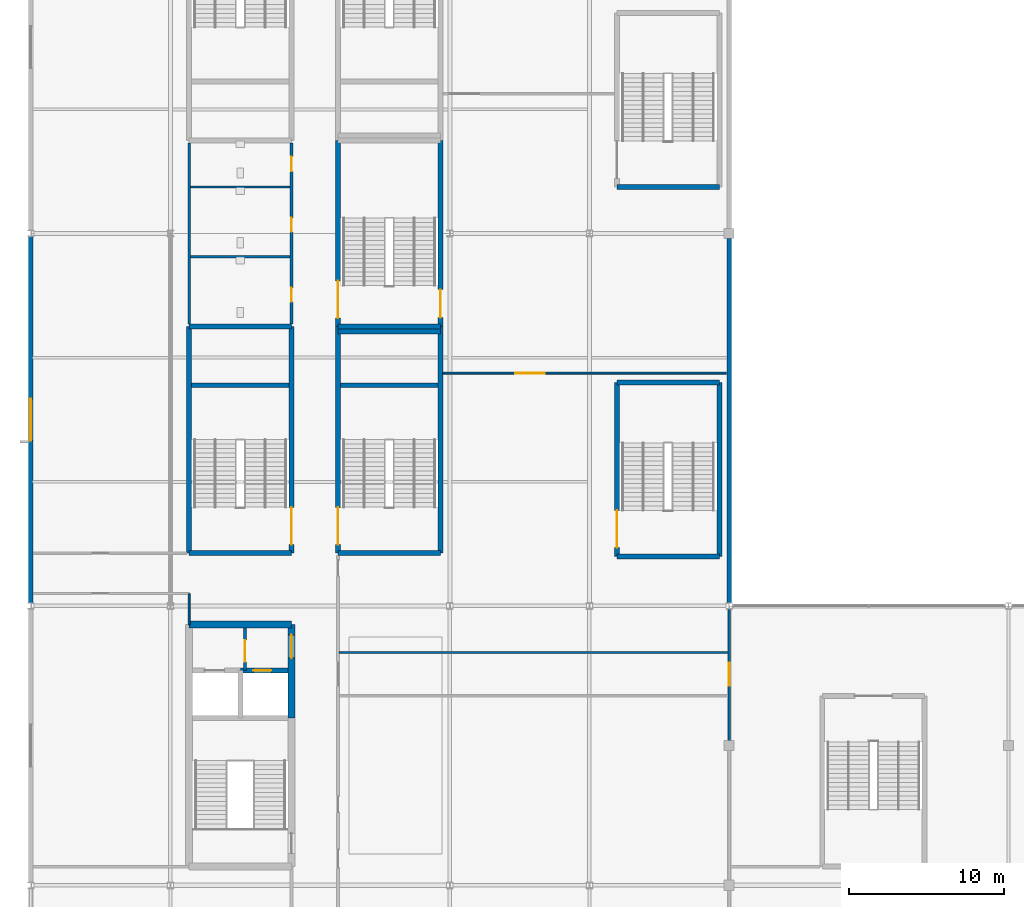
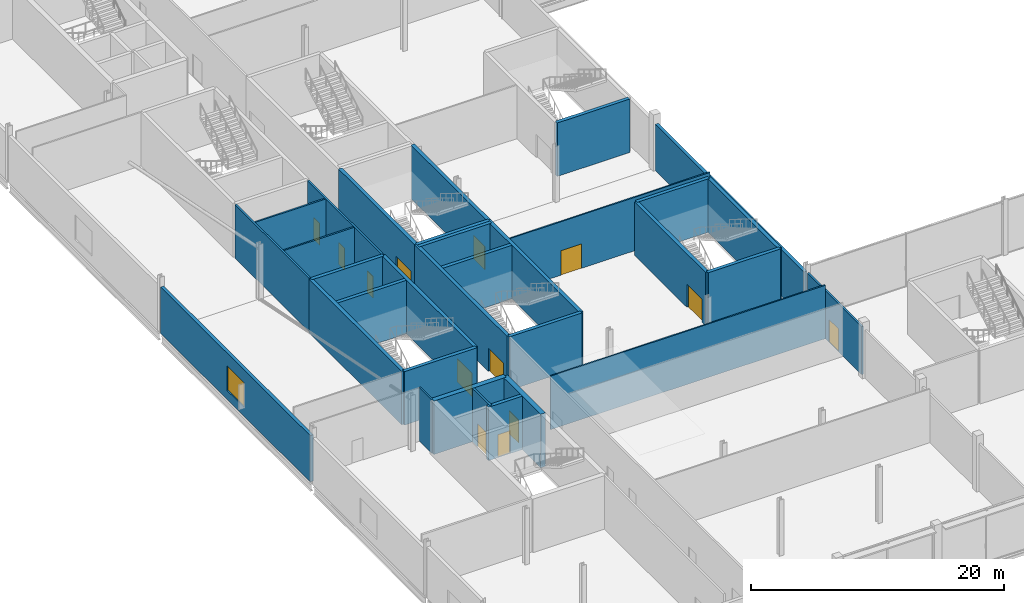
# One storey, part 59 of 111: 32 walls, 13 doors, 1 window, 14 openings.
"""IFC4 building model written with IfcOpenShell, lengths in metres."""

from ifc_helpers import new_model, si_unit, direction, frame, frame_2d, origin, place, context, subcontext, project, spatial, rectangle, extrude, material, layer, layer_set, type_object, element, fill, save


model = new_model("IFC4")

# Units and contexts
model_context = context("Model", 3, precision=1e-05, world=origin(), true_north=direction((0.0, 1.0)))
body_context = subcontext(model_context, "Body", "Model", "MODEL_VIEW")
ifc_project = project(units=[si_unit("LENGTHUNIT", "METRE"), si_unit("AREAUNIT", "SQUARE_METRE"), si_unit("VOLUMEUNIT", "CUBIC_METRE"), si_unit("PLANEANGLEUNIT", "RADIAN"), si_unit("MASSUNIT", "GRAM", prefix="KILO")], contexts=[model_context])

# Site, building, storey
site_placement = place(None, origin())
site = spatial("IfcSite", under=ifc_project, at=site_placement, CompositionType="ELEMENT")
building_placement = place(site_placement, origin())
building = spatial("IfcBuilding", under=site, at=building_placement, Name="Kisiwana Market Hall", CompositionType="ELEMENT")
storey_placement = place(building_placement, frame((0.0, 0.0, 11.39990234375)))
storey = spatial("IfcBuildingStorey", under=building, at=storey_placement, Name="L02", CompositionType="ELEMENT", Elevation=11.39990234375)

# Wall, opening, door
ifc_material_1 = material(Name="Masonry blockwork", Category="masonry")
ifc_layer_1 = layer(ifc_material_1, 0.199951171875, Name="Plastered fire compartment block wall")
ifc_layer_set_1 = layer_set([ifc_layer_1], Name="WL-COMP-200")
wall_type_1 = type_object("IfcWallType", Name="WL-COMP-200", PredefinedType="PARTITIONING", material=ifc_layer_set_1)
wall_1_placement = place(storey_placement, frame((13.800048828125, 31.844970703125, 0.0), z_axis=(0.0, 0.0, 1.0), x_axis=(0.0, 1.0, 0.0)))
wall_1 = element("IfcWall", 1, at=wall_1_placement, inside=storey, type_object=wall_type_1, Name="Core W2 firefighting lobby wall W-1100", PredefinedType="PARTITIONING", context=body_context, shape_type="SweptSolid", body=[
    extrude(rectangle(XDim=2.72998046875, YDim=0.199951171875, at=frame_2d((1.364990234375, 0.0))), origin(), (0.0, 0.0, 1.0), 5.150146484375),
])
opening_1_placement = place(wall_1_placement, frame((0.550048828125, 0.0, 0.0)))
opening_1 = element("IfcOpeningElement", 2, at=opening_1_placement, cuts=wall_1, Name="Opening DR-L02-003", PredefinedType="OPENING", context=body_context, shape_type="SweptSolid", body=[
    extrude(rectangle(XDim=1.39990234375, YDim=2.25, at=frame_2d((0.699951171875, 1.125))), frame((0.0, 0.11181640625, 0.0), z_axis=(0.0, -1.0, 0.0), x_axis=(1.0, 0.0, 0.0)), (0.0, 0.0, 1.0), 0.223876953125),
])
ifc_material_2 = material(Name="Steel S275", Category="steel")
door_type_1 = type_object("IfcDoorType", Name="DR-FFLOB-FD120-1400", OperationType="DOUBLE_DOOR_SINGLE_SWING", PredefinedType="DOOR", material=ifc_material_2)
door_1_placement = place(opening_1_placement, frame((1.39990234375, 0.0, 0.0), z_axis=(0.0, 0.0, 1.0), x_axis=(-1.0, 0.0, 0.0)))
door_1 = element("IfcDoor", 3, at=door_1_placement, inside=storey, type_object=door_type_1, Name="Firefighting Lift Lobby W2 Door (L02)", OperationType="DOUBLE_DOOR_SINGLE_SWING", OverallHeight=2.25, OverallWidth=1.39990234375, PredefinedType="DOOR", context=body_context, shape_type="SweptSolid", body=[
    extrude(rectangle(XDim=1.39990234375, YDim=2.25, at=frame_2d((0.699951171875, 1.125))), frame((0.0, 0.02490234375, 0.0), z_axis=(0.0, -1.0, 0.0), x_axis=(1.0, 0.0, 0.0)), (0.0, 0.0, 1.0), 0.050048828125),
])
fill(opening_1, door_1)

ifc_material_3 = material(Name="Concrete C40/50", Category="concrete")
ifc_layer_2 = layer(ifc_material_3, 0.320068359375, Name="Reinforced concrete shaft wall")
ifc_layer_set_2 = layer_set([ifc_layer_2], Name="WL-CORE-320")
wall_type_2 = type_object("IfcWallType", Name="WL-CORE-320", PredefinedType="SHEAR", material=ifc_layer_set_2)
wall_2_placement = place(storey_placement, frame((13.5, 31.844970703125, 0.0), z_axis=(0.0, 0.0, 1.0), x_axis=(1.0, 0.0, 0.0)))
wall_2 = element("IfcWall", 4, at=wall_2_placement, inside=storey, type_object=wall_type_2, Name="Core W2 east lift front wall W-0926", PredefinedType="SHEAR", context=body_context, shape_type="SweptSolid", body=[
    extrude(rectangle(XDim=3.074951171875, YDim=0.320068359375, at=frame_2d((1.53759765625, 0.0))), origin(), (0.0, 0.0, 1.0), 5.150146484375),
])
opening_2_placement = place(wall_2_placement, frame((0.85009765625, 0.0, 0.0)))
opening_2 = element("IfcOpeningElement", 5, at=opening_2_placement, cuts=wall_2, Name="Opening LD-L02-002", PredefinedType="OPENING", context=body_context, shape_type="SweptSolid", body=[
    extrude(rectangle(XDim=1.14990234375, YDim=2.199951171875, at=frame_2d((0.574951171875, 1.10009765625))), frame((0.0, 0.171875, 0.0), z_axis=(0.0, -1.0, 0.0), x_axis=(1.0, 0.0, 0.0)), (0.0, 0.0, 1.0), 0.343994140625),
])
ifc_material_4 = material(Name="Steel S275", Category="steel")
door_type_2 = type_object("IfcDoorType", Name="DR-LIFT-PAX-1150", OperationType="DOUBLE_DOOR_SLIDING", PredefinedType="DOOR", material=ifc_material_4)
door_2_placement = place(opening_2_placement, origin())
door_2 = element("IfcDoor", 6, at=door_2_placement, inside=storey, type_object=door_type_2, Name="Lift Landing Door LP-01 (L02)", OperationType="DOUBLE_DOOR_SLIDING", OverallHeight=2.199951171875, OverallWidth=1.14990234375, PredefinedType="DOOR", context=body_context, shape_type="SweptSolid", body=[
    extrude(rectangle(XDim=1.14990234375, YDim=2.199951171875, at=frame_2d((0.574951171875, 1.10009765625))), frame((0.0, 0.02490234375, 0.0), z_axis=(0.0, -1.0, 0.0), x_axis=(1.0, 0.0, 0.0)), (0.0, 0.0, 1.0), 0.050048828125),
])
fill(opening_2, door_2)

# Walls
for number, where, z_axis, x_axis, name in (
    (7, (10.199951171875, 39.39990234375, 0.0), (0.0, 0.0, 1.0), (1.0, 0.0, 0.0), "Core W3 south shear wall W-0976"),
    (8, (10.199951171875, 54.0, 0.0), (0.0, 0.0, 1.0), (1.0, 0.0, 0.0), "Core W3 north shear wall W-0977"),
):
    element("IfcWall", number, at=place(storey_placement, frame(where, z_axis=z_axis, x_axis=x_axis)), inside=storey, type_object=wall_type_2, Name=name, PredefinedType="SHEAR", context=body_context, shape_type="SweptSolid", body=[
        extrude(rectangle(XDim=6.60009765625, YDim=0.320068359375, at=frame_2d((3.300048828125, 0.0))), origin(), (0.0, 0.0, 1.0), 5.150146484375),
    ])
wall_3_placement = place(storey_placement, frame((10.199951171875, 39.39990234375, 0.0), z_axis=(0.0, 0.0, 1.0), x_axis=(0.0, 1.0, 0.0)))
element("IfcWall", 9, at=wall_3_placement, inside=storey, type_object=wall_type_2, Name="Core W3 outer shear wall W-0978", PredefinedType="SHEAR", context=body_context, shape_type="SweptSolid", body=[
    extrude(rectangle(XDim=14.60009765625, YDim=0.320068359375, at=frame_2d((7.300048828125, 0.0))), origin(), (0.0, 0.0, 1.0), 5.150146484375),
])

# Wall, opening, door
wall_4_placement = place(storey_placement, frame((16.800048828125, 39.39990234375, 0.0), z_axis=(0.0, 0.0, 1.0), x_axis=(0.0, 1.0, 0.0)))
wall_4 = element("IfcWall", 10, at=wall_4_placement, inside=storey, type_object=wall_type_2, Name="Core W3 corridor shear wall W-0979", PredefinedType="SHEAR", context=body_context, shape_type="SweptSolid", body=[
    extrude(rectangle(XDim=14.60009765625, YDim=0.320068359375, at=frame_2d((7.300048828125, 0.0))), origin(), (0.0, 0.0, 1.0), 5.150146484375),
])
opening_3_placement = place(wall_4_placement, frame((0.550048828125, 0.0, 0.0)))
opening_3 = element("IfcOpeningElement", 11, at=opening_3_placement, cuts=wall_4, Name="Opening DR-L02-019", PredefinedType="OPENING", context=body_context, shape_type="SweptSolid", body=[
    extrude(rectangle(XDim=2.39990234375, YDim=2.25, at=frame_2d((1.199951171875, 1.125))), frame((0.0, 0.171875, 0.0), z_axis=(0.0, -1.0, 0.0), x_axis=(1.0, 0.0, 0.0)), (0.0, 0.0, 1.0), 0.343994140625),
])
ifc_material_5 = material(Name="Steel S275", Category="steel")
door_type_3 = type_object("IfcDoorType", Name="DR-STAIR-FD120-2400", OperationType="DOUBLE_DOOR_SINGLE_SWING", PredefinedType="DOOR", material=ifc_material_5)
door_3_placement = place(opening_3_placement, origin())
door_3 = element("IfcDoor", 12, at=door_3_placement, inside=storey, type_object=door_type_3, Name="Escape Stair W3 Fire Door (L02)", OperationType="DOUBLE_DOOR_SINGLE_SWING", OverallHeight=2.25, OverallWidth=2.39990234375, PredefinedType="DOOR", context=body_context, shape_type="SweptSolid", body=[
    extrude(rectangle(XDim=2.39990234375, YDim=2.25, at=frame_2d((1.199951171875, 1.125))), frame((0.0, 0.02490234375, 0.0), z_axis=(0.0, -1.0, 0.0), x_axis=(1.0, 0.0, 0.0)), (0.0, 0.0, 1.0), 0.050048828125),
])
fill(opening_3, door_3)

# Walls
wall_5_placement = place(storey_placement, frame((10.360107421875, 50.219970703125, 0.0), z_axis=(0.0, 0.0, 1.0), x_axis=(1.0, 0.0, 0.0)))
element("IfcWall", 13, at=wall_5_placement, inside=storey, type_object=wall_type_2, Name="Core W3 riser divider shear wall W-0980", PredefinedType="SHEAR", context=body_context, shape_type="SweptSolid", body=[
    extrude(rectangle(XDim=6.27978515625, YDim=0.320068359375, at=frame_2d((3.139892578125, 0.0))), origin(), (0.0, 0.0, 1.0), 5.150146484375),
])
for number, where, z_axis, x_axis, name in (
    (14, (19.800048828125, 39.39990234375, 0.0), (0.0, 0.0, 1.0), (1.0, 0.0, 0.0), "Core W7 south shear wall W-0996"),
    (15, (19.800048828125, 54.0, 0.0), (0.0, 0.0, 1.0), (1.0, 0.0, 0.0), "Core W7 north shear wall W-0997"),
):
    element("IfcWall", number, at=place(storey_placement, frame(where, z_axis=z_axis, x_axis=x_axis)), inside=storey, type_object=wall_type_2, Name=name, PredefinedType="SHEAR", context=body_context, shape_type="SweptSolid", body=[
        extrude(rectangle(XDim=6.599853515625, YDim=0.320068359375, at=frame_2d((3.2998046875, 0.0))), origin(), (0.0, 0.0, 1.0), 5.150146484375),
    ])

# Wall, opening, door
wall_6_placement = place(storey_placement, frame((19.800048828125, 39.39990234375, 0.0), z_axis=(0.0, 0.0, 1.0), x_axis=(0.0, 1.0, 0.0)))
wall_6 = element("IfcWall", 16, at=wall_6_placement, inside=storey, type_object=wall_type_2, Name="Core W7 corridor shear wall W-0998", PredefinedType="SHEAR", context=body_context, shape_type="SweptSolid", body=[
    extrude(rectangle(XDim=14.60009765625, YDim=0.320068359375, at=frame_2d((7.300048828125, 0.0))), origin(), (0.0, 0.0, 1.0), 5.150146484375),
])
opening_4_placement = place(wall_6_placement, frame((0.550048828125, 0.0, 0.0)))
opening_4 = element("IfcOpeningElement", 17, at=opening_4_placement, cuts=wall_6, Name="Opening DR-L02-023", PredefinedType="OPENING", context=body_context, shape_type="SweptSolid", body=[
    extrude(rectangle(XDim=2.39990234375, YDim=2.25, at=frame_2d((1.199951171875, 1.125))), frame((0.0, 0.171875, 0.0), z_axis=(0.0, -1.0, 0.0), x_axis=(1.0, 0.0, 0.0)), (0.0, 0.0, 1.0), 0.343994140625),
])
door_4_placement = place(opening_4_placement, frame((2.39990234375, 0.0, 0.0), z_axis=(0.0, 0.0, 1.0), x_axis=(-1.0, 0.0, 0.0)))
door_4 = element("IfcDoor", 18, at=door_4_placement, inside=storey, type_object=door_type_3, Name="Escape Stair W7 Fire Door (L02)", OperationType="DOUBLE_DOOR_SINGLE_SWING", OverallHeight=2.25, OverallWidth=2.39990234375, PredefinedType="DOOR", context=body_context, shape_type="SweptSolid", body=[
    extrude(rectangle(XDim=2.39990234375, YDim=2.25, at=frame_2d((1.199951171875, 1.125))), frame((0.0, 0.02490234375, 0.0), z_axis=(0.0, -1.0, 0.0), x_axis=(1.0, 0.0, 0.0)), (0.0, 0.0, 1.0), 0.050048828125),
])
fill(opening_4, door_4)

# Walls
wall_7_placement = place(storey_placement, frame((26.39990234375, 39.39990234375, 0.0), z_axis=(0.0, 0.0, 1.0), x_axis=(0.0, 1.0, 0.0)))
element("IfcWall", 19, at=wall_7_placement, inside=storey, type_object=wall_type_2, Name="Core W7 outer shear wall W-0999", PredefinedType="SHEAR", context=body_context, shape_type="SweptSolid", body=[
    extrude(rectangle(XDim=14.60009765625, YDim=0.320068359375, at=frame_2d((7.300048828125, 0.0))), origin(), (0.0, 0.0, 1.0), 5.150146484375),
])
wall_8_placement = place(storey_placement, frame((19.9599609375, 50.219970703125, 0.0), z_axis=(0.0, 0.0, 1.0), x_axis=(1.0, 0.0, 0.0)))
element("IfcWall", 20, at=wall_8_placement, inside=storey, type_object=wall_type_2, Name="Core W7 riser divider shear wall W-1000", PredefinedType="SHEAR", context=body_context, shape_type="SweptSolid", body=[
    extrude(rectangle(XDim=6.280029296875, YDim=0.320068359375, at=frame_2d((3.14013671875, 0.0))), origin(), (0.0, 0.0, 1.0), 5.150146484375),
])
for number, where, z_axis, x_axis, name in (
    (21, (37.77001953125, 39.199951171875, 0.0), (0.0, 0.0, 1.0), (1.0, 0.0, 0.0), "Core W9 south shear wall W-1016"),
    (22, (37.77001953125, 50.39990234375, 0.0), (0.0, 0.0, 1.0), (1.0, 0.0, 0.0), "Core W9 north shear wall W-1017"),
):
    element("IfcWall", number, at=place(storey_placement, frame(where, z_axis=z_axis, x_axis=x_axis)), inside=storey, type_object=wall_type_2, Name=name, PredefinedType="SHEAR", context=body_context, shape_type="SweptSolid", body=[
        extrude(rectangle(XDim=6.60009765625, YDim=0.320068359375, at=frame_2d((3.300048828125, 0.0))), origin(), (0.0, 0.0, 1.0), 5.150146484375),
    ])

# Wall, opening, door
wall_9_placement = place(storey_placement, frame((37.77001953125, 39.199951171875, 0.0), z_axis=(0.0, 0.0, 1.0), x_axis=(0.0, 1.0, 0.0)))
wall_9 = element("IfcWall", 23, at=wall_9_placement, inside=storey, type_object=wall_type_2, Name="Core W9 corridor shear wall W-1018", PredefinedType="SHEAR", context=body_context, shape_type="SweptSolid", body=[
    extrude(rectangle(XDim=11.199951171875, YDim=0.320068359375, at=frame_2d((5.60009765625, 0.0))), origin(), (0.0, 0.0, 1.0), 5.150146484375),
])
opening_5_placement = place(wall_9_placement, frame((0.550048828125, 0.0, 0.0)))
opening_5 = element("IfcOpeningElement", 24, at=opening_5_placement, cuts=wall_9, Name="Opening DR-L02-027", PredefinedType="OPENING", context=body_context, shape_type="SweptSolid", body=[
    extrude(rectangle(XDim=2.39990234375, YDim=2.25, at=frame_2d((1.199951171875, 1.125))), frame((0.0, 0.171875, 0.0), z_axis=(0.0, -1.0, 0.0), x_axis=(1.0, 0.0, 0.0)), (0.0, 0.0, 1.0), 0.343994140625),
])
door_5_placement = place(opening_5_placement, frame((2.39990234375, 0.0, 0.0), z_axis=(0.0, 0.0, 1.0), x_axis=(-1.0, 0.0, 0.0)))
door_5 = element("IfcDoor", 25, at=door_5_placement, inside=storey, type_object=door_type_3, Name="Escape Stair W9 Fire Door (L02)", OperationType="DOUBLE_DOOR_SINGLE_SWING", OverallHeight=2.25, OverallWidth=2.39990234375, PredefinedType="DOOR", context=body_context, shape_type="SweptSolid", body=[
    extrude(rectangle(XDim=2.39990234375, YDim=2.25, at=frame_2d((1.199951171875, 1.125))), frame((0.0, 0.02490234375, 0.0), z_axis=(0.0, -1.0, 0.0), x_axis=(1.0, 0.0, 0.0)), (0.0, 0.0, 1.0), 0.050048828125),
])
fill(opening_5, door_5)

# Walls
wall_10_placement = place(storey_placement, frame((44.3701171875, 39.199951171875, 0.0), z_axis=(0.0, 0.0, 1.0), x_axis=(0.0, 1.0, 0.0)))
element("IfcWall", 26, at=wall_10_placement, inside=storey, type_object=wall_type_2, Name="Core W9 outer shear wall W-1019", PredefinedType="SHEAR", context=body_context, shape_type="SweptSolid", body=[
    extrude(rectangle(XDim=11.199951171875, YDim=0.320068359375, at=frame_2d((5.60009765625, 0.0))), origin(), (0.0, 0.0, 1.0), 5.150146484375),
])
wall_11_placement = place(storey_placement, frame((37.77001953125, 63.0, 0.0), z_axis=(0.0, 0.0, 1.0), x_axis=(1.0, 0.0, 0.0)))
element("IfcWall", 27, at=wall_11_placement, inside=storey, type_object=wall_type_2, Name="Core W10 south shear wall W-1024", PredefinedType="SHEAR", context=body_context, shape_type="SweptSolid", body=[
    extrude(rectangle(XDim=6.60009765625, YDim=0.320068359375, at=frame_2d((3.300048828125, 0.0))), origin(), (0.0, 0.0, 1.0), 5.150146484375),
])
wall_12_placement = place(storey_placement, frame((19.800048828125, 53.679931640625, 0.0), z_axis=(0.0, 0.0, 1.0), x_axis=(1.0, 0.0, 0.0)))
element("IfcWall", 28, at=wall_12_placement, inside=storey, type_object=wall_type_2, Name="Core W5 south shear wall W-1032", PredefinedType="SHEAR", context=body_context, shape_type="SweptSolid", body=[
    extrude(rectangle(XDim=6.599853515625, YDim=0.320068359375, at=frame_2d((3.2998046875, 0.0))), origin(), (0.0, 0.0, 1.0), 5.150146484375),
])

# Wall, opening, door
wall_13_placement = place(storey_placement, frame((19.800048828125, 54.0, 0.0), z_axis=(0.0, 0.0, 1.0), x_axis=(0.0, 1.0, 0.0)))
wall_13 = element("IfcWall", 29, at=wall_13_placement, inside=storey, type_object=wall_type_2, Name="Core W5 corridor shear wall W-1034", PredefinedType="SHEAR", context=body_context, shape_type="SweptSolid", body=[
    extrude(rectangle(XDim=12.0, YDim=0.320068359375, at=frame_2d((6.0, 0.0))), origin(), (0.0, 0.0, 1.0), 5.150146484375),
])
opening_6_placement = place(wall_13_placement, frame((0.550048828125, 0.0, 0.0)))
opening_6 = element("IfcOpeningElement", 30, at=opening_6_placement, cuts=wall_13, Name="Opening DR-L02-031", PredefinedType="OPENING", context=body_context, shape_type="SweptSolid", body=[
    extrude(rectangle(XDim=2.39990234375, YDim=2.25, at=frame_2d((1.199951171875, 1.125))), frame((0.0, 0.171875, 0.0), z_axis=(0.0, -1.0, 0.0), x_axis=(1.0, 0.0, 0.0)), (0.0, 0.0, 1.0), 0.343994140625),
])
door_6_placement = place(opening_6_placement, frame((2.39990234375, 0.0, 0.0), z_axis=(0.0, 0.0, 1.0), x_axis=(-1.0, 0.0, 0.0)))
door_6 = element("IfcDoor", 31, at=door_6_placement, inside=storey, type_object=door_type_3, Name="Escape Stair W5 Fire Door (L02)", OperationType="DOUBLE_DOOR_SINGLE_SWING", OverallHeight=2.25, OverallWidth=2.39990234375, PredefinedType="DOOR", context=body_context, shape_type="SweptSolid", body=[
    extrude(rectangle(XDim=2.39990234375, YDim=2.25, at=frame_2d((1.199951171875, 1.125))), frame((0.0, 0.02490234375, 0.0), z_axis=(0.0, -1.0, 0.0), x_axis=(1.0, 0.0, 0.0)), (0.0, 0.0, 1.0), 0.050048828125),
])
fill(opening_6, door_6)

wall_14_placement = place(storey_placement, frame((26.39990234375, 54.0, 0.0), z_axis=(0.0, 0.0, 1.0), x_axis=(0.0, 1.0, 0.0)))
wall_14 = element("IfcWall", 32, at=wall_14_placement, inside=storey, type_object=wall_type_2, Name="Core W5 outer shear wall W-1035", PredefinedType="SHEAR", context=body_context, shape_type="SweptSolid", body=[
    extrude(rectangle(XDim=12.0, YDim=0.320068359375, at=frame_2d((6.0, 0.0))), origin(), (0.0, 0.0, 1.0), 5.150146484375),
])
opening_7_placement = place(wall_14_placement, frame((0.580078125, 0.0, 0.0)))
opening_7 = element("IfcOpeningElement", 33, at=opening_7_placement, cuts=wall_14, Name="Opening DR-L02-032", PredefinedType="OPENING", context=body_context, shape_type="SweptSolid", body=[
    extrude(rectangle(XDim=1.800048828125, YDim=2.25, at=frame_2d((0.89990234375, 1.125))), frame((0.0, 0.171875, 0.0), z_axis=(0.0, -1.0, 0.0), x_axis=(1.0, 0.0, 0.0)), (0.0, 0.0, 1.0), 0.343994140625),
])
ifc_material_6 = material(Name="Steel S275", Category="steel")
door_type_4 = type_object("IfcDoorType", Name="DR-STAIR-FD120-1800", OperationType="DOUBLE_DOOR_SINGLE_SWING", PredefinedType="DOOR", material=ifc_material_6)
door_7_placement = place(opening_7_placement, origin())
door_7 = element("IfcDoor", 34, at=door_7_placement, inside=storey, type_object=door_type_4, Name="Escape Stair W5 Room Door (L02)", OperationType="DOUBLE_DOOR_SINGLE_SWING", OverallHeight=2.25, OverallWidth=1.800048828125, PredefinedType="DOOR", context=body_context, shape_type="SweptSolid", body=[
    extrude(rectangle(XDim=1.800048828125, YDim=2.25, at=frame_2d((0.89990234375, 1.125))), frame((0.0, 0.02490234375, 0.0), z_axis=(0.0, -1.0, 0.0), x_axis=(1.0, 0.0, 0.0)), (0.0, 0.0, 1.0), 0.050048828125),
])
fill(opening_7, door_7)

# Wall
ifc_material_7 = material(Name="Concrete C40/50", Category="concrete")
ifc_layer_3 = layer(ifc_material_7, 0.449951171875, Name="Reinforced concrete core wall")
ifc_layer_set_3 = layer_set([ifc_layer_3], Name="WL-CORE-450")
wall_type_3 = type_object("IfcWallType", Name="WL-CORE-450", PredefinedType="SHEAR", material=ifc_layer_set_3)
wall_15_placement = place(storey_placement, frame((10.199951171875, 34.800048828125, 0.0), z_axis=(0.0, 0.0, 1.0), x_axis=(1.0, 0.0, 0.0)))
element("IfcWall", 35, at=wall_15_placement, inside=storey, type_object=wall_type_3, Name="Core W2 north shear wall W-0919", PredefinedType="SHEAR", context=body_context, shape_type="SweptSolid", body=[
    extrude(rectangle(XDim=6.60009765625, YDim=0.449951171875, at=frame_2d((3.300048828125, 0.0))), origin(), (0.0, 0.0, 1.0), 5.150146484375),
])

# Wall, opening, door
wall_16_placement = place(storey_placement, frame((16.800048828125, 28.784912109375, 0.0), z_axis=(0.0, 0.0, 1.0), x_axis=(0.0, 1.0, 0.0)))
wall_16 = element("IfcWall", 36, at=wall_16_placement, inside=storey, type_object=wall_type_3, Name="Core W2 lobby corridor shear wall W-0922", PredefinedType="SHEAR", context=body_context, shape_type="SweptSolid", body=[
    extrude(rectangle(XDim=6.01513671875, YDim=0.449951171875, at=frame_2d((3.007568359375, 0.0))), origin(), (0.0, 0.0, 1.0), 5.150146484375),
])
opening_8_placement = place(wall_16_placement, frame((3.85009765625, 0.0, 0.0)))
opening_8 = element("IfcOpeningElement", 37, at=opening_8_placement, cuts=wall_16, Name="Opening DR-L02-002", PredefinedType="OPENING", context=body_context, shape_type="SweptSolid", body=[
    extrude(rectangle(XDim=1.5, YDim=2.199951171875, at=frame_2d((0.75, 1.10009765625))), frame((0.0, 0.23681640625, 0.0), z_axis=(0.0, -1.0, 0.0), x_axis=(1.0, 0.0, 0.0)), (0.0, 0.0, 1.0), 0.473876953125),
])
ifc_material_8 = material(Name="Steel S275", Category="steel")
door_type_5 = type_object("IfcDoorType", Name="DR-CORR-FD60-1500", OperationType="DOUBLE_DOOR_SINGLE_SWING", PredefinedType="DOOR", material=ifc_material_8)
door_8_placement = place(opening_8_placement, frame((1.5, 0.0, 0.0), z_axis=(0.0, 0.0, 1.0), x_axis=(-1.0, 0.0, 0.0)))
door_8 = element("IfcDoor", 38, at=door_8_placement, inside=storey, type_object=door_type_5, Name="Passenger Lift Lobby W2 Smoke Door (L02)", OperationType="DOUBLE_DOOR_SINGLE_SWING", OverallHeight=2.199951171875, OverallWidth=1.5, PredefinedType="DOOR", context=body_context, shape_type="SweptSolid", body=[
    extrude(rectangle(XDim=1.5, YDim=2.199951171875, at=frame_2d((0.75, 1.10009765625))), frame((0.0, 0.02490234375, 0.0), z_axis=(0.0, -1.0, 0.0), x_axis=(1.0, 0.0, 0.0)), (0.0, 0.0, 1.0), 0.050048828125),
])
fill(opening_8, door_8)

# Wall
ifc_material_9 = material(Name="Masonry blockwork", Category="masonry")
ifc_layer_4 = layer(ifc_material_9, 0.169921875, Name="Protected corridor partition")
ifc_layer_set_4 = layer_set([ifc_layer_4], Name="WL-CORR-170")
wall_type_4 = type_object("IfcWallType", Name="WL-CORR-170", PredefinedType="PARTITIONING", material=ifc_layer_set_4)
wall_17_placement = place(storey_placement, frame((10.199951171875, 54.159912109375, 0.0), z_axis=(0.0, 0.0, 1.0), x_axis=(0.0, 1.0, 0.0)))
element("IfcWall", 39, at=wall_17_placement, inside=storey, type_object=wall_type_4, Name="Interior partition W-1104", PredefinedType="PARTITIONING", context=body_context, shape_type="SweptSolid", body=[
    extrude(rectangle(XDim=11.68017578125, YDim=0.169921875, at=frame_2d((5.840087890625, 0.0))), origin(), (0.0, 0.0, 1.0), 5.150146484375),
])

# Wall, openings, doors
wall_18_placement = place(storey_placement, frame((16.800048828125, 54.159912109375, 0.0), z_axis=(0.0, 0.0, 1.0), x_axis=(0.0, 1.0, 0.0)))
wall_18 = element("IfcWall", 40, at=wall_18_placement, inside=storey, type_object=wall_type_4, Name="Interior partition W-1105", PredefinedType="PARTITIONING", context=body_context, shape_type="SweptSolid", body=[
    extrude(rectangle(XDim=11.68017578125, YDim=0.169921875, at=frame_2d((5.840087890625, 0.0))), origin(), (0.0, 0.0, 1.0), 5.150146484375),
])
opening_9_placement = place(wall_18_placement, frame((1.43994140625, 0.0, 0.0)))
opening_9 = element("IfcOpeningElement", 41, at=opening_9_placement, cuts=wall_18, Name="Opening DR-L02-043", PredefinedType="OPENING", context=body_context, shape_type="SweptSolid", body=[
    extrude(rectangle(XDim=0.89990234375, YDim=2.10009765625, at=frame_2d((0.449951171875, 1.050048828125))), frame((0.0, 0.096923828125, 0.0), z_axis=(0.0, -1.0, 0.0), x_axis=(1.0, 0.0, 0.0)), (0.0, 0.0, 1.0), 0.19384765625),
])
opening_10_placement = place(wall_18_placement, frame((5.93994140625, 0.0, 0.0)))
opening_10 = element("IfcOpeningElement", 42, at=opening_10_placement, cuts=wall_18, Name="Opening DR-L02-044", PredefinedType="OPENING", context=body_context, shape_type="SweptSolid", body=[
    extrude(rectangle(XDim=0.89990234375, YDim=2.10009765625, at=frame_2d((0.449951171875, 1.050048828125))), frame((0.0, 0.096923828125, 0.0), z_axis=(0.0, -1.0, 0.0), x_axis=(1.0, 0.0, 0.0)), (0.0, 0.0, 1.0), 0.19384765625),
])
opening_11_placement = place(wall_18_placement, frame((9.840087890625, 0.0, 0.0)))
opening_11 = element("IfcOpeningElement", 43, at=opening_11_placement, cuts=wall_18, Name="Opening DR-L02-045", PredefinedType="OPENING", context=body_context, shape_type="SweptSolid", body=[
    extrude(rectangle(XDim=0.949951171875, YDim=2.10009765625, at=frame_2d((0.47509765625, 1.050048828125))), frame((0.0, 0.096923828125, 0.0), z_axis=(0.0, -1.0, 0.0), x_axis=(1.0, 0.0, 0.0)), (0.0, 0.0, 1.0), 0.19384765625),
])
ifc_material_10 = material(Name="Aluminium alloy 6063-T6", Category="aluminium")
door_type_6 = type_object("IfcDoorType", Name="DR-WC-ACC-950", OperationType="NOTDEFINED", PredefinedType="DOOR", material=ifc_material_10)
door_9_placement = place(opening_11_placement, origin())
door_9 = element("IfcDoor", 44, at=door_9_placement, inside=storey, type_object=door_type_6, Name="L02 W Accessible WC Door", OperationType="SINGLE_SWING_RIGHT", OverallHeight=2.10009765625, OverallWidth=0.949951171875, PredefinedType="DOOR", context=body_context, shape_type="SweptSolid", body=[
    extrude(rectangle(XDim=0.949951171875, YDim=2.10009765625, at=frame_2d((0.47509765625, 1.050048828125))), frame((0.0, 0.02490234375, 0.0), z_axis=(0.0, -1.0, 0.0), x_axis=(1.0, 0.0, 0.0)), (0.0, 0.0, 1.0), 0.050048828125),
])
fill(opening_11, door_9)
ifc_material_11 = material(Name="Aluminium alloy 6063-T6", Category="aluminium")
door_type_7 = type_object("IfcDoorType", Name="DR-WC-STD-900", OperationType="NOTDEFINED", PredefinedType="DOOR", material=ifc_material_11)
door_10_placement = place(opening_9_placement, origin())
door_10 = element("IfcDoor", 45, at=door_10_placement, inside=storey, type_object=door_type_7, Name="L02 W Male Toilet Door", OperationType="SINGLE_SWING_LEFT", OverallHeight=2.10009765625, OverallWidth=0.89990234375, PredefinedType="DOOR", context=body_context, shape_type="SweptSolid", body=[
    extrude(rectangle(XDim=0.89990234375, YDim=2.10009765625, at=frame_2d((0.449951171875, 1.050048828125))), frame((0.0, 0.02490234375, 0.0), z_axis=(0.0, -1.0, 0.0), x_axis=(1.0, 0.0, 0.0)), (0.0, 0.0, 1.0), 0.050048828125),
])
fill(opening_9, door_10)
door_11_placement = place(opening_10_placement, origin())
door_11 = element("IfcDoor", 46, at=door_11_placement, inside=storey, type_object=door_type_7, Name="L02 W Female Toilet Door", OperationType="SINGLE_SWING_RIGHT", OverallHeight=2.10009765625, OverallWidth=0.89990234375, PredefinedType="DOOR", context=body_context, shape_type="SweptSolid", body=[
    extrude(rectangle(XDim=0.89990234375, YDim=2.10009765625, at=frame_2d((0.449951171875, 1.050048828125))), frame((0.0, 0.02490234375, 0.0), z_axis=(0.0, -1.0, 0.0), x_axis=(1.0, 0.0, 0.0)), (0.0, 0.0, 1.0), 0.050048828125),
])
fill(opening_10, door_11)

# Wall, opening, door
wall_19_placement = place(storey_placement, frame((45.0, 27.219970703125, 0.0), z_axis=(0.0, 0.0, 1.0), x_axis=(0.0, 1.0, 0.0)))
wall_19 = element("IfcWall", 47, at=wall_19_placement, inside=storey, type_object=wall_type_4, Name="Interior partition W-1130", PredefinedType="PARTITIONING", context=body_context, shape_type="SweptSolid", body=[
    extrude(rectangle(XDim=8.56005859375, YDim=0.169921875, at=frame_2d((4.280029296875, 0.0))), origin(), (0.0, 0.0, 1.0), 4.616943359375),
])
opening_12_placement = place(wall_19_placement, frame((3.6298828125, 0.0, 0.0)))
opening_12 = element("IfcOpeningElement", 48, at=opening_12_placement, cuts=wall_19, Name="Opening DR-L02-063", PredefinedType="OPENING", context=body_context, shape_type="SweptSolid", body=[
    extrude(rectangle(XDim=1.5, YDim=2.199951171875, at=frame_2d((0.75, 1.10009765625))), frame((0.0, 0.096923828125, 0.0), z_axis=(0.0, -1.0, 0.0), x_axis=(1.0, 0.0, 0.0)), (0.0, 0.0, 1.0), 0.19384765625),
])
door_12_placement = place(opening_12_placement, origin())
door_12 = element("IfcDoor", 49, at=door_12_placement, inside=storey, type_object=door_type_5, Name="L02 W South Spine Link Door", OperationType="DOUBLE_DOOR_SINGLE_SWING", OverallHeight=2.199951171875, OverallWidth=1.5, PredefinedType="DOOR", context=body_context, shape_type="SweptSolid", body=[
    extrude(rectangle(XDim=1.5, YDim=2.199951171875, at=frame_2d((0.75, 1.10009765625))), frame((0.0, 0.02490234375, 0.0), z_axis=(0.0, -1.0, 0.0), x_axis=(1.0, 0.0, 0.0)), (0.0, 0.0, 1.0), 0.050048828125),
])
fill(opening_12, door_12)

# Wall, opening, window
ifc_material_12 = material(Name="Masonry blockwork", Category="masonry")
ifc_layer_5 = layer(ifc_material_12, 0.139892578125, Name="Rendered masonry outer leaf")
ifc_material_13 = material(Name="Mineral wool insulation")
ifc_layer_6 = layer(ifc_material_13, 0.074951171875, Name="Mineral wool cavity insulation")
ifc_material_14 = material(Name="Gypsum plasterboard")
ifc_layer_7 = layer(ifc_material_14, 0.074951171875, Name="Calcium silicate inner lining")
ifc_layer_set_5 = layer_set([ifc_layer_5, ifc_layer_6, ifc_layer_7], Name="WL-EXT-MAS-290")
wall_type_5 = type_object("IfcWallType", Name="WL-EXT-MAS-290", PredefinedType="STANDARD", material=ifc_layer_set_5)
wall_20_placement = place(storey_placement, frame((0.0, 36.194091796875, 0.0), z_axis=(0.0, 0.0, 1.0), x_axis=(0.0, 1.0, 0.0)))
wall_20 = element("IfcWall", 50, at=wall_20_placement, inside=storey, type_object=wall_type_5, Name="Exterior wall W-1083", PredefinedType="STANDARD", context=body_context, shape_type="SweptSolid", body=[
    extrude(rectangle(XDim=23.61181640625, YDim=0.2900390625, at=frame_2d((11.805908203125, 0.0))), origin(), (0.0, 0.0, 1.0), 4.466552734375),
])
opening_13_placement = place(wall_20_placement, frame((10.4560546875, 0.0, 0.85009765625)))
opening_13 = element("IfcOpeningElement", 51, at=opening_13_placement, cuts=wall_20, Name="Opening WN-10", PredefinedType="OPENING", context=body_context, shape_type="SweptSolid", body=[
    extrude(rectangle(XDim=2.699951171875, YDim=2.39990234375, at=frame_2d((1.35009765625, 1.199951171875))), frame((0.0, 0.156982421875, 0.0), z_axis=(0.0, -1.0, 0.0), x_axis=(1.0, 0.0, 0.0)), (0.0, 0.0, 1.0), 0.31396484375),
])
ifc_material_15 = material(Name="Double-glazed solar-control low-E IGU", Category="glass")
window_type = type_object("IfcWindowType", Name="WN-GLD-2700x2400", PartitioningType="SINGLE_PANEL", PredefinedType="WINDOW", material=ifc_material_15)
window_placement = place(opening_13_placement, origin())
window = element("IfcWindow", 52, at=window_placement, inside=storey, type_object=window_type, Name="Exterior window WN-039", OverallHeight=2.39990234375, OverallWidth=2.699951171875, PartitioningType="SINGLE_PANEL", PredefinedType="WINDOW", context=body_context, shape_type="SweptSolid", body=[
    extrude(rectangle(XDim=2.699951171875, YDim=2.39990234375, at=frame_2d((1.35009765625, 1.199951171875))), frame((0.0, 0.030029296875, 0.0), z_axis=(0.0, -1.0, 0.0), x_axis=(1.0, 0.0, 0.0)), (0.0, 0.0, 1.0), 0.06005859375),
])
fill(opening_13, window)

# Walls
wall_21_placement = place(storey_placement, frame((45.0, 36.198486328125, 0.0), z_axis=(0.0, 0.0, 1.0), x_axis=(0.0, 1.0, 0.0)))
element("IfcWall", 53, at=wall_21_placement, inside=storey, type_object=wall_type_5, Name="Exterior wall W-1088", PredefinedType="STANDARD", context=body_context, shape_type="SweptSolid", body=[
    extrude(rectangle(XDim=23.484619140625, YDim=0.2900390625, at=frame_2d((11.7421875, 0.0))), origin(), (0.0, 0.0, 1.0), 4.466552734375),
])
ifc_material_16 = material(Name="Gypsum plasterboard")
ifc_layer_8 = layer(ifc_material_16, 0.125, Name="Double gypsum board + acoustic stud")
ifc_layer_set_6 = layer_set([ifc_layer_8], Name="WL-OFF-125")
wall_type_6 = type_object("IfcWallType", Name="WL-OFF-125", PredefinedType="PARTITIONING", material=ifc_layer_set_6)
wall_22_placement = place(storey_placement, frame((10.199951171875, 34.800048828125, 0.0), z_axis=(0.0, 0.0, 1.0), x_axis=(0.0, 1.0, 0.0)))
element("IfcWall", 54, at=wall_22_placement, inside=storey, type_object=wall_type_6, Name="Interior partition W-1108", PredefinedType="PARTITIONING", context=body_context, shape_type="SweptSolid", body=[
    extrude(rectangle(XDim=2.0, YDim=0.125, at=frame_2d((1.0, 0.0))), origin(), (0.0, 0.0, 1.0), 5.150146484375),
])
wall_23_placement = place(storey_placement, frame((19.885009765625, 33.0, 0.0), z_axis=(0.0, 0.0, 1.0), x_axis=(1.0, 0.0, 0.0)))
element("IfcWall", 55, at=wall_23_placement, inside=storey, type_object=wall_type_6, Name="Interior partition W-1120", PredefinedType="PARTITIONING", context=body_context, shape_type="SweptSolid", body=[
    extrude(rectangle(XDim=25.030029296875, YDim=0.125, at=frame_2d((12.51513671875, 0.0))), origin(), (0.0, 0.0, 1.0), 5.150146484375),
])

# Wall, opening, door
wall_24_placement = place(storey_placement, frame((26.56005859375, 51.0, 0.0), z_axis=(0.0, 0.0, 1.0), x_axis=(1.0, 0.0, 0.0)))
wall_24 = element("IfcWall", 56, at=wall_24_placement, inside=storey, type_object=wall_type_6, Name="Interior partition W-1121", PredefinedType="PARTITIONING", context=body_context, shape_type="SweptSolid", body=[
    extrude(rectangle(XDim=18.25732421875, YDim=0.125, at=frame_2d((9.128662109375, 0.0))), origin(), (0.0, 0.0, 1.0), 5.150146484375),
])
opening_14_placement = place(wall_24_placement, frame((4.64990234375, 0.0, 0.0)))
opening_14 = element("IfcOpeningElement", 57, at=opening_14_placement, cuts=wall_24, Name="Opening DR-L02-051", PredefinedType="OPENING", context=body_context, shape_type="SweptSolid", body=[
    extrude(rectangle(XDim=1.89990234375, YDim=2.35009765625, at=frame_2d((0.949951171875, 1.175048828125))), frame((0.0, 0.074462890625, 0.0), z_axis=(0.0, -1.0, 0.0), x_axis=(1.0, 0.0, 0.0)), (0.0, 0.0, 1.0), 0.14892578125),
])
ifc_material_17 = material(Name="Steel S275", Category="steel")
door_type_8 = type_object("IfcDoorType", Name="DR-HALL-1900", OperationType="DOUBLE_DOOR_SINGLE_SWING", PredefinedType="DOOR", material=ifc_material_17)
door_13_placement = place(opening_14_placement, origin())
door_13 = element("IfcDoor", 58, at=door_13_placement, inside=storey, type_object=door_type_8, Name="L02 W Cooperative Boardroom Exit Door", OperationType="DOUBLE_DOOR_SINGLE_SWING", OverallHeight=2.35009765625, OverallWidth=1.89990234375, PredefinedType="DOOR", context=body_context, shape_type="SweptSolid", body=[
    extrude(rectangle(XDim=1.89990234375, YDim=2.35009765625, at=frame_2d((0.949951171875, 1.175048828125))), frame((0.0, 0.02490234375, 0.0), z_axis=(0.0, -1.0, 0.0), x_axis=(1.0, 0.0, 0.0)), (0.0, 0.0, 1.0), 0.050048828125),
])
fill(opening_14, door_13)

# Walls
ifc_material_18 = material(Name="Masonry blockwork", Category="masonry")
ifc_layer_9 = layer(ifc_material_18, 0.14990234375, Name="Water-resistant sanitary block wall")
ifc_layer_set_7 = layer_set([ifc_layer_9], Name="WL-WET-150")
wall_type_7 = type_object("IfcWallType", Name="WL-WET-150", PredefinedType="PARTITIONING", material=ifc_layer_set_7)
for number, where, z_axis, x_axis, name in (
    (59, (10.284912109375, 58.5, 0.0), (0.0, 0.0, 1.0), (1.0, 0.0, 0.0), "Interior partition W-1106"),
    (60, (10.284912109375, 63.0, 0.0), (0.0, 0.0, 1.0), (1.0, 0.0, 0.0), "Interior partition W-1107"),
):
    element("IfcWall", number, at=place(storey_placement, frame(where, z_axis=z_axis, x_axis=x_axis)), inside=storey, type_object=wall_type_7, Name=name, PredefinedType="PARTITIONING", context=body_context, shape_type="SweptSolid", body=[
        extrude(rectangle(XDim=6.43017578125, YDim=0.14990234375, at=frame_2d((3.215087890625, 0.0))), origin(), (0.0, 0.0, 1.0), 5.150146484375),
    ])

save(model, "model.ifc")
